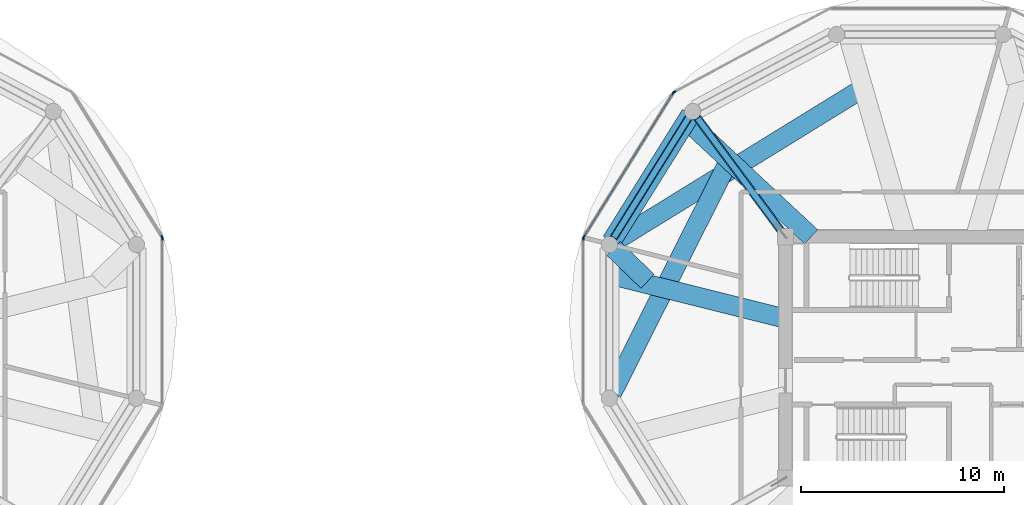
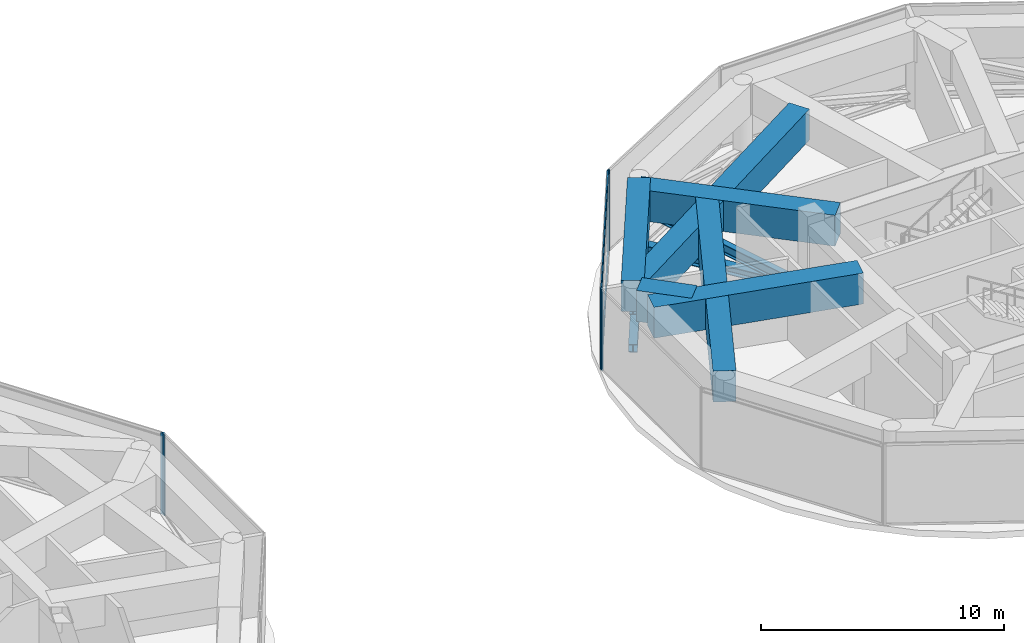
# One storey, part 7 of 20: 12 members, 6 beams, 5 elements without a shape of their own.
"""IFC4 building model written with IfcOpenShell, lengths in metres."""

from ifc_helpers import new_model, si_unit, direction, frame, origin, origin_2d, place, context, subcontext, project, spatial, rectangle, i_section, extrude, source, transform, mapped, material, layer, layer_set, material_profile, profile_set, type_object, type_shapes, element, aggregate, save


model = new_model("IFC4")

# Units and contexts
model_context = context("Model", 3, precision=1e-05, world=origin(), true_north=direction((0.0, 1.0)))
body_context = subcontext(model_context, "Body", "Model", "MODEL_VIEW")
ifc_project = project(units=[si_unit("LENGTHUNIT", "METRE"), si_unit("AREAUNIT", "SQUARE_METRE"), si_unit("VOLUMEUNIT", "CUBIC_METRE"), si_unit("PLANEANGLEUNIT", "RADIAN"), si_unit("MASSUNIT", "GRAM", prefix="KILO")], contexts=[model_context])

# Site, building, storey
site_placement = place(None, origin())
site = spatial("IfcSite", under=ifc_project, at=site_placement, CompositionType="ELEMENT")
building_placement = place(site_placement, origin())
building = spatial("IfcBuilding", under=site, at=building_placement, Name="Norrkilde Senior Care Towers", CompositionType="ELEMENT")
storey_placement = place(building_placement, frame((0.0, 0.0, 186.14990234375)))
storey = spatial("IfcBuildingStorey", under=building, at=storey_placement, Name="L58", CompositionType="ELEMENT", Elevation=186.14990234375)

# Beams
ifc_material_1 = material(Name="Concrete C60/75", Category="concrete")
ifc_material_profile_1 = material_profile(ifc_material_1, rectangle(XDim=0.949951171875, YDim=1.550048828125, at=origin_2d()), Name="RC TG 950x1550")
ifc_profile_set_1 = profile_set([ifc_material_profile_1], Name="Concrete C60/75")
beam_type = type_object("IfcBeamType", Name="Transfer Girder Zone Shift 950x1550", PredefinedType="USERDEFINED", material=ifc_profile_set_1)
shared_shape_1 = source(origin(), body_context, "Body", "SweptSolid", [
    extrude(rectangle(XDim=0.949951171875, YDim=1.550048828125, at=origin_2d()), origin(), (0.0, 0.0, 1.0), 7.38330078125),
])
beam_1_placement = place(storey_placement, frame((15.672119140625, 11.981689453125, 3.30517578125), z_axis=(-0.529793836977, -0.848126458909, 0.0), x_axis=(0.848126458909, -0.529793836977, 0.0)))
element("IfcBeam", 1, at=beam_1_placement, inside=storey, type_object=beam_type, Name="L58 Drum E Zone Ring Transfer Girder 05", ObjectType="GIRDER", PredefinedType="USERDEFINED", context=body_context, shape_type="MappedRepresentation", body=[
    mapped(shared_shape_1, transform((0.0, 0.0, 0.0), x_axis=(1.0, 0.0, 0.0), y_axis=(0.0, 1.0, 0.0), z_axis=(0.0, 0.0, 1.0), scale=1.0)),
])
shared_shape_2 = source(origin(), body_context, "Body", "SweptSolid", [
    extrude(rectangle(XDim=0.949951171875, YDim=1.550048828125, at=origin_2d()), origin(), (0.0, 0.0, 1.0), 8.951904296875),
])
beam_2_placement = place(storey_placement, frame((20.35009765625, 1.910888671875, 3.30517578125), z_axis=(-0.970197020898, 0.242317437755, 0.0), x_axis=(-0.242317437755, -0.970197020898, 0.0)))
element("IfcBeam", 2, at=beam_2_placement, inside=storey, type_object=beam_type, Name="L58 Drum E Zone Transfer Girder 06", ObjectType="GIRDER", PredefinedType="USERDEFINED", context=body_context, shape_type="MappedRepresentation", body=[
    mapped(shared_shape_2, transform((0.0, 0.0, 0.0), x_axis=(1.0, 0.0, 0.0), y_axis=(0.0, 1.0, 0.0), z_axis=(0.0, 0.0, 1.0), scale=1.0)),
])
shared_shape_3 = source(origin(), body_context, "Body", "SweptSolid", [
    extrude(rectangle(XDim=0.949951171875, YDim=1.550048828125, at=origin_2d()), origin(), (0.0, 0.0, 1.0), 2.336669921875),
])
beam_3_placement = place(storey_placement, frame((13.55078125, 3.7529296875, 3.30517578125), z_axis=(-0.72061017086, 0.693340451476, 0.0), x_axis=(-0.693340451476, -0.72061017086, 0.0)))
element("IfcBeam", 3, at=beam_3_placement, inside=storey, type_object=beam_type, Name="L58 Drum E Zone Star Transfer Tie 06", ObjectType="GIRDER", PredefinedType="USERDEFINED", context=body_context, shape_type="MappedRepresentation", body=[
    mapped(shared_shape_3, transform((0.0, 0.0, 0.0), x_axis=(1.0, 0.0, 0.0), y_axis=(0.0, 1.0, 0.0), z_axis=(0.0, 0.0, 1.0), scale=1.0)),
])
shared_shape_4 = source(origin(), body_context, "Body", "SweptSolid", [
    extrude(rectangle(XDim=0.949951171875, YDim=1.550048828125, at=origin_2d()), origin(), (0.0, 0.0, 1.0), 8.39208984375),
])
beam_4_placement = place(storey_placement, frame((21.6171875, 5.949951171875, 3.30517578125), z_axis=(-0.731458557864, 0.681885898173, 0.0), x_axis=(-0.681885898173, -0.731458557864, 0.0)))
element("IfcBeam", 4, at=beam_4_placement, inside=storey, type_object=beam_type, Name="L58 Drum E Zone Transfer Girder 05", ObjectType="GIRDER", PredefinedType="USERDEFINED", context=body_context, shape_type="MappedRepresentation", body=[
    mapped(shared_shape_4, transform((0.0, 0.0, 0.0), x_axis=(1.0, 0.0, 0.0), y_axis=(0.0, 1.0, 0.0), z_axis=(0.0, 0.0, 1.0), scale=1.0)),
])

# Members
ifc_material_2 = material(Name="Steel S355", Category="steel")
ifc_material_profile_2 = material_profile(ifc_material_2, i_section(OverallWidth=0.3740234375, OverallDepth=0.386962890625, WebThickness=0.01611328125, FlangeThickness=0.027099609375, FilletRadius=0.014892578125, at=origin_2d()), Name="HD 360x262")
ifc_profile_set_2 = profile_set([ifc_material_profile_2], Name="Steel S355")
member_type_1 = type_object("IfcMemberType", Name="Belt Truss Ring Chord HD360x262", PredefinedType="CHORD", material=ifc_profile_set_2)
shared_shape_5 = source(origin(), body_context, "Body", "SweptSolid", [
    extrude(i_section(OverallWidth=0.3740234375, OverallDepth=0.386962890625, WebThickness=0.01611328125, FlangeThickness=0.027099609375, FilletRadius=0.014892578125, at=origin_2d()), origin(), (0.0, 0.0, 1.0), 7.0234375),
])
type_shapes(member_type_1, [shared_shape_5])
member_1_placement = place(storey_placement, frame((15.57666015625, 11.8291015625, 0.550048828125), z_axis=(-0.529789577822, -0.848129119433, 0.0), x_axis=(0.848129119433, -0.529789577822, 0.0)))
element("IfcMember", 5, at=member_1_placement, inside=storey, type_object=member_type_1, Name="L58 Drum E Belt Truss Bottom Chord 05", PredefinedType="CHORD", context=body_context, shape_type="MappedRepresentation", body=[
    mapped(shared_shape_5, transform((0.0, 0.0, 0.0), x_axis=(1.0, 0.0, 0.0), y_axis=(0.0, 1.0, 0.0), z_axis=(0.0, 0.0, 1.0), scale=1.0)),
])
ifc_material_profile_3 = material_profile(ifc_material_2, i_section(OverallWidth=0.300048828125, OverallDepth=0.39990234375, WebThickness=0.013427734375, FlangeThickness=0.02392578125, FilletRadius=0.027099609375, at=origin_2d()), Name="HEB 400")
ifc_profile_set_3 = profile_set([ifc_material_profile_3], Name="Steel S355")
member_type_2 = type_object("IfcMemberType", Name="Belt Truss Diagonal HEB400", PredefinedType="BRACE", material=ifc_profile_set_3)
shared_shape_6 = source(origin(), body_context, "Body", "SweptSolid", [
    extrude(i_section(OverallWidth=0.300048828125, OverallDepth=0.39990234375, WebThickness=0.013427734375, FlangeThickness=0.02392578125, FilletRadius=0.027099609375, at=origin_2d()), origin(), (0.0, 0.0, 1.0), 7.28369140625),
])
type_shapes(member_type_2, [shared_shape_6])
member_2_placement = place(storey_placement, frame((15.57666015625, 11.8291015625, 0.550048828125), z_axis=(-0.51085413753, -0.817815766787, 0.264963057357), x_axis=(0.848129119433, -0.529789577822, 0.0)))
element("IfcMember", 6, at=member_2_placement, inside=storey, type_object=member_type_2, Name="L58 Drum E Belt Truss Diagonal 05", PredefinedType="BRACE", context=body_context, shape_type="MappedRepresentation", body=[
    mapped(shared_shape_6, transform((0.0, 0.0, 0.0), x_axis=(1.0, 0.0, 0.0), y_axis=(0.0, 1.0, 0.0), z_axis=(0.0, 0.0, 1.0), scale=1.0)),
])
ifc_material_profile_4 = material_profile(ifc_material_2, i_section(OverallWidth=0.402099609375, OverallDepth=0.419921875, WebThickness=0.02001953125, FlangeThickness=0.032958984375, FilletRadius=0.014892578125, at=origin_2d()), Name="HD 400x347")
ifc_profile_set_4 = profile_set([ifc_material_profile_4], Name="Steel S355")
member_type_3 = type_object("IfcMemberType", Name="Outrigger Truss Chord HD400x347", PredefinedType="CHORD", material=ifc_profile_set_4)
shared_shape_7 = source(origin(), body_context, "Body", "SweptSolid", [
    extrude(i_section(OverallWidth=0.402099609375, OverallDepth=0.419921875, WebThickness=0.02001953125, FlangeThickness=0.032958984375, FilletRadius=0.014892578125, at=origin_2d()), origin(), (0.0, 0.0, 1.0), 6.977294921875),
])
type_shapes(member_type_3, [shared_shape_7])
member_3_placement = place(storey_placement, frame((20.1357421875, 6.2392578125, 0.550048828125), z_axis=(-0.595365613821, 0.80345490594, 0.0), x_axis=(-0.80345490594, -0.595365613821, 0.0)))
element("IfcMember", 7, at=member_3_placement, inside=storey, type_object=member_type_3, Name="L58 Drum E Outrigger Chord 4", PredefinedType="CHORD", context=body_context, shape_type="MappedRepresentation", body=[
    mapped(shared_shape_7, transform((0.0, 0.0, 0.0), x_axis=(1.0, 0.0, 0.0), y_axis=(0.0, 1.0, 0.0), z_axis=(0.0, 0.0, 1.0), scale=1.0)),
])
ifc_material_profile_5 = material_profile(ifc_material_2, i_section(OverallWidth=0.300048828125, OverallDepth=0.5, WebThickness=0.014404296875, FlangeThickness=0.028076171875, FilletRadius=0.027099609375, at=origin_2d()), Name="HEB 500")
ifc_profile_set_5 = profile_set([ifc_material_profile_5], Name="Steel S355")
member_type_4 = type_object("IfcMemberType", Name="Outrigger Truss Diagonal HEB500", PredefinedType="BRACE", material=ifc_profile_set_5)
shared_shape_8 = source(origin(), body_context, "Body", "SweptSolid", [
    extrude(i_section(OverallWidth=0.300048828125, OverallDepth=0.5, WebThickness=0.014404296875, FlangeThickness=0.028076171875, FilletRadius=0.027099609375, at=origin_2d()), origin(), (0.0, 0.0, 1.0), 7.2392578125),
])
type_shapes(member_type_4, [shared_shape_8])
member_4_placement = place(storey_placement, frame((20.1357421875, 6.2392578125, 0.550048828125), z_axis=(-0.573819231646, 0.774377737117, 0.266590715613), x_axis=(-0.80345490594, -0.595365613821, 0.0)))
element("IfcMember", 8, at=member_4_placement, inside=storey, type_object=member_type_4, Name="L58 Drum E Outrigger Diagonal 4", PredefinedType="BRACE", context=body_context, shape_type="MappedRepresentation", body=[
    mapped(shared_shape_8, transform((0.0, 0.0, 0.0), x_axis=(1.0, 0.0, 0.0), y_axis=(0.0, 1.0, 0.0), z_axis=(0.0, 0.0, 1.0), scale=1.0)),
])

# Beams
shared_shape_9 = source(origin(), body_context, "Body", "SweptSolid", [
    extrude(rectangle(XDim=0.949951171875, YDim=1.550048828125, at=origin_2d()), origin(), (0.0, 0.0, 1.0), 14.1435546875),
])
beam_5_placement = place(storey_placement, frame((23.944091796875, 13.134521484375, 3.30517578125), z_axis=(-0.851307856671, -0.524666497091, 0.0), x_axis=(0.524666497091, -0.851307856671, 0.0)))
element("IfcBeam", 9, at=beam_5_placement, inside=storey, type_object=beam_type, Name="L58 Drum E Zone Star Transfer Tie 04", ObjectType="GIRDER", PredefinedType="USERDEFINED", context=body_context, shape_type="MappedRepresentation", body=[
    mapped(shared_shape_9, transform((0.0, 0.0, 0.0), x_axis=(1.0, 0.0, 0.0), y_axis=(0.0, 1.0, 0.0), z_axis=(0.0, 0.0, 1.0), scale=1.0)),
])
shared_shape_10 = source(origin(), body_context, "Body", "SweptSolid", [
    extrude(rectangle(XDim=0.949951171875, YDim=1.550048828125, at=origin_2d()), origin(), (0.0, 0.0, 1.0), 12.58056640625),
])
type_shapes(beam_type, [shared_shape_1, shared_shape_2, shared_shape_3, shared_shape_4, shared_shape_9, shared_shape_10])
beam_6_placement = place(storey_placement, frame((17.4443359375, 9.47265625, 3.30517578125), z_axis=(-0.449370264741, -0.89334560231, 0.0), x_axis=(0.89334560231, -0.449370264741, 0.0)))
element("IfcBeam", 10, at=beam_6_placement, inside=storey, type_object=beam_type, Name="L58 Drum E Zone Star Transfer Tie 05", ObjectType="GIRDER", PredefinedType="USERDEFINED", context=body_context, shape_type="MappedRepresentation", body=[
    mapped(shared_shape_10, transform((0.0, 0.0, 0.0), x_axis=(1.0, 0.0, 0.0), y_axis=(0.0, 1.0, 0.0), z_axis=(0.0, 0.0, 1.0), scale=1.0)),
])

# Curtain wall, member
ifc_material_3 = material(Name="Triple Low-E Insulated Glazing", Category="glass")
ifc_layer = layer(ifc_material_3, 0.18505859375)
ifc_layer_set = layer_set([ifc_layer], Name="Triple Low-E Insulated Glazing")
curtain_wall_type = type_object("IfcCurtainWallType", Name="CW6 Zone 4 Crown Pavilion Curtain Wall", PredefinedType="NOTDEFINED", material=ifc_layer_set)
curtain_wall_1_placement = place(storey_placement, origin())
curtain_wall_1 = element("IfcCurtainWall", 11, at=curtain_wall_1_placement, inside=storey, type_object=curtain_wall_type, Name="L58 Drum W Curtain Wall 00", PredefinedType="NOTDEFINED")
ifc_material_4 = material(Name="Anodised Aluminium", Category="aluminium")
ifc_material_profile_6 = material_profile(ifc_material_4, rectangle(XDim=0.070068359375, YDim=0.169921875, at=origin_2d()), Name="ALU MULL 70x170")
ifc_profile_set_6 = profile_set([ifc_material_profile_6], Name="Anodised Aluminium")
member_type_5 = type_object("IfcMemberType", Name="Curtain Wall Mullion Heavy 70x170", PredefinedType="MULLION", material=ifc_profile_set_6)
shared_shape_11 = source(origin(), body_context, "Body", "SweptSolid", [
    extrude(rectangle(XDim=0.070068359375, YDim=0.169921875, at=origin_2d()), origin(), (0.0, 0.0, 1.0), 4.080078125),
])
type_shapes(member_type_5, [shared_shape_11])
member_5_placement = place(storey_placement, frame((-10.39892578125, 5.94091796875, 0.0), z_axis=(0.0, 0.0, 1.0), x_axis=(0.84963405474, 0.52737270789, 0.0)))
member_5 = element("IfcMember", 12, at=member_5_placement, type_object=member_type_5, Name="CW-6 mullion 2", PredefinedType="MULLION", context=body_context, shape_type="MappedRepresentation", body=[
    mapped(shared_shape_11, transform((0.0, 0.0, 0.0), x_axis=(1.0, 0.0, 0.0), y_axis=(0.0, 1.0, 0.0), z_axis=(0.0, 0.0, 1.0), scale=1.0)),
])
aggregate(curtain_wall_1, [member_5])

curtain_wall_2_placement = place(storey_placement, origin())
curtain_wall_2 = element("IfcCurtainWall", 13, at=curtain_wall_2_placement, inside=storey, type_object=curtain_wall_type, Name="L58 Drum W Curtain Wall 11", PredefinedType="NOTDEFINED")
member_6_placement = place(storey_placement, frame((-10.38037109375, 5.876220703125, 0.0), z_axis=(0.0, 0.0, 1.0), x_axis=(1.0, 0.0, 0.0)))
member_6 = element("IfcMember", 14, at=member_6_placement, type_object=member_type_5, Name="CW-6 mullion 1", PredefinedType="MULLION", context=body_context, shape_type="MappedRepresentation", body=[
    mapped(shared_shape_11, transform((0.0, 0.0, 0.0), x_axis=(1.0, 0.0, 0.0), y_axis=(0.0, 1.0, 0.0), z_axis=(0.0, 0.0, 1.0), scale=1.0)),
])
aggregate(curtain_wall_2, [member_6])

curtain_wall_3_placement = place(storey_placement, origin())
curtain_wall_3 = element("IfcCurtainWall", 15, at=curtain_wall_3_placement, inside=storey, type_object=curtain_wall_type, Name="L58 Drum E Curtain Wall 03", PredefinedType="NOTDEFINED")
member_7_placement = place(storey_placement, frame((14.857666015625, 13.091552734375, 0.0), z_axis=(0.0, 0.0, 1.0), x_axis=(-0.47311715104, 0.880999524059, 0.0)))
member_7 = element("IfcMember", 16, at=member_7_placement, type_object=member_type_5, Name="CW-6 mullion 1", PredefinedType="MULLION", context=body_context, shape_type="MappedRepresentation", body=[
    mapped(shared_shape_11, transform((0.0, 0.0, 0.0), x_axis=(1.0, 0.0, 0.0), y_axis=(0.0, 1.0, 0.0), z_axis=(0.0, 0.0, 1.0), scale=1.0)),
])
aggregate(curtain_wall_3, [member_7])

# Curtain wall, members
curtain_wall_4_placement = place(storey_placement, origin())
curtain_wall_4 = element("IfcCurtainWall", 17, at=curtain_wall_4_placement, inside=storey, type_object=curtain_wall_type, Name="L58 Drum E Curtain Wall 04", PredefinedType="NOTDEFINED")
member_8_placement = place(storey_placement, frame((10.39892578125, 5.94091796875, 0.0), z_axis=(0.0, 0.0, 1.0), x_axis=(-0.84963405474, 0.52737270789, 0.0)))
member_8 = element("IfcMember", 18, at=member_8_placement, type_object=member_type_5, Name="CW-6 mullion 1", PredefinedType="MULLION", context=body_context, shape_type="MappedRepresentation", body=[
    mapped(shared_shape_11, transform((0.0, 0.0, 0.0), x_axis=(1.0, 0.0, 0.0), y_axis=(0.0, 1.0, 0.0), z_axis=(0.0, 0.0, 1.0), scale=1.0)),
])
member_9_placement = place(storey_placement, frame((14.808349609375, 13.045166015625, 0.0), z_axis=(0.0, 0.0, 1.0), x_axis=(-0.84963405474, 0.52737270789, 0.0)))
member_9 = element("IfcMember", 19, at=member_9_placement, type_object=member_type_5, Name="CW-6 mullion 2", PredefinedType="MULLION", context=body_context, shape_type="MappedRepresentation", body=[
    mapped(shared_shape_11, transform((0.0, 0.0, 0.0), x_axis=(1.0, 0.0, 0.0), y_axis=(0.0, 1.0, 0.0), z_axis=(0.0, 0.0, 1.0), scale=1.0)),
])

# Curtain wall, member
curtain_wall_5_placement = place(storey_placement, origin())
curtain_wall_5 = element("IfcCurtainWall", 20, at=curtain_wall_5_placement, inside=storey, type_object=curtain_wall_type, Name="L58 Drum E Curtain Wall 05", PredefinedType="NOTDEFINED")
member_10_placement = place(storey_placement, frame((10.38037109375, 5.876220703125, 0.0), z_axis=(0.0, 0.0, 1.0), x_axis=(-1.0, 0.0, 0.0)))
member_10 = element("IfcMember", 21, at=member_10_placement, type_object=member_type_5, Name="CW-6 mullion 2", PredefinedType="MULLION", context=body_context, shape_type="MappedRepresentation", body=[
    mapped(shared_shape_11, transform((0.0, 0.0, 0.0), x_axis=(1.0, 0.0, 0.0), y_axis=(0.0, 1.0, 0.0), z_axis=(0.0, 0.0, 1.0), scale=1.0)),
])
aggregate(curtain_wall_5, [member_10])

# Member
ifc_material_profile_7 = material_profile(ifc_material_4, rectangle(XDim=0.06494140625, YDim=0.1298828125, at=origin_2d()), Name="ALU TRAN 65x130")
ifc_profile_set_7 = profile_set([ifc_material_profile_7], Name="Anodised Aluminium")
member_type_6 = type_object("IfcMemberType", Name="Curtain Wall Transom Heavy 65x130", PredefinedType="USERDEFINED", material=ifc_profile_set_7)
shared_shape_12 = source(origin(), body_context, "Body", "SweptSolid", [
    extrude(rectangle(XDim=0.06494140625, YDim=0.1298828125, at=origin_2d()), origin(), (0.0, 0.0, 1.0), 8.29150390625),
])
type_shapes(member_type_6, [shared_shape_12])
member_11_placement = place(storey_placement, frame((10.417236328125, 5.970703125, 0.03271484375), z_axis=(0.527384117405, 0.849626972682, 0.0), x_axis=(-0.849626972682, 0.527384117405, 0.0)))
member_11 = element("IfcMember", 22, at=member_11_placement, type_object=member_type_6, Name="CW-6 transom 1.1", ObjectType="TRANSOM", PredefinedType="USERDEFINED", context=body_context, shape_type="MappedRepresentation", body=[
    mapped(shared_shape_12, transform((0.0, 0.0, 0.0), x_axis=(1.0, 0.0, 0.0), y_axis=(0.0, 1.0, 0.0), z_axis=(0.0, 0.0, 1.0), scale=1.0)),
])

member_12_placement = place(storey_placement, frame((10.417236328125, 5.970703125, 4.047607421875), z_axis=(0.527384117405, 0.849626972682, 0.0), x_axis=(-0.849626972682, 0.527384117405, 0.0)))
member_12 = element("IfcMember", 23, at=member_12_placement, type_object=member_type_6, Name="CW-6 transom 1.2", ObjectType="TRANSOM", PredefinedType="USERDEFINED", context=body_context, shape_type="MappedRepresentation", body=[
    mapped(shared_shape_12, transform((0.0, 0.0, 0.0), x_axis=(1.0, 0.0, 0.0), y_axis=(0.0, 1.0, 0.0), z_axis=(0.0, 0.0, 1.0), scale=1.0)),
])

aggregate(curtain_wall_4, [member_8, member_9, member_11, member_12])

save(model, "model.ifc")
